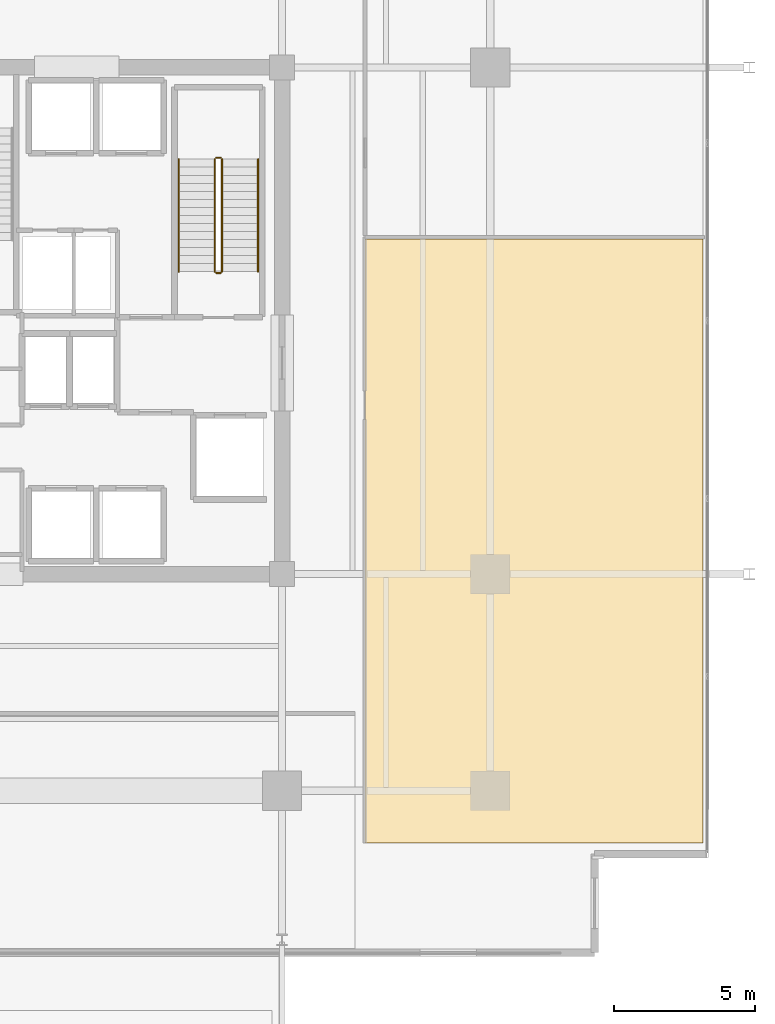
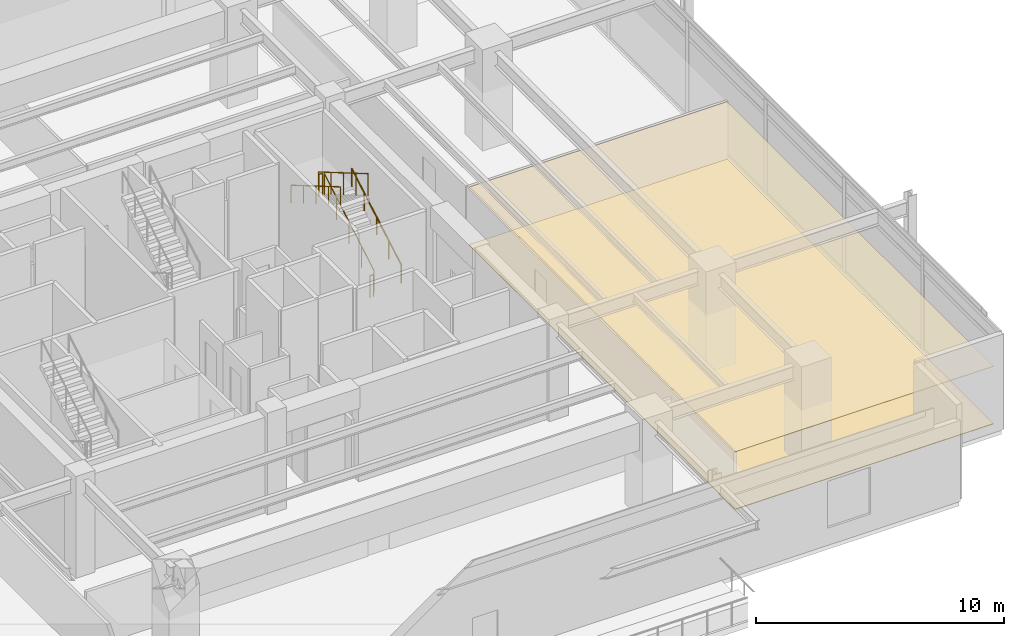
# One storey, part 22 of 25: 6 railings, 2 coverings.
"""IFC4 building model written with IfcOpenShell, lengths in metres."""

import ifcopenshell
import ifcopenshell.guid

model = None  # the IFC model being written
_history = None  # IfcOwnerHistory: only IFC2X3 demands one
_inside = {}  # id of a spatial element -> (the spatial element, [elements in it])
_under = {}  # id of a project, library or spatial element -> (it, [spatial elements below it])
_declared = {}  # id of a project -> (the project, [libraries it declares])
_typed = {}  # id of a type object -> (the type object, [elements of that type])
_made_of = {}  # id of a material, layer set ... -> (it, [elements and type objects made of it])


def new_model(schema):
    """Start an empty IFC model of exactly this schema.

    Asked for "IFC4X3", IfcOpenShell would pick the latest addendum, in which some entities
    have other attributes; the version numbers below select the first issue.
    IFC2X3 requires an IfcOwnerHistory on every rooted entity: one is made here for all.
    """
    global model, _history
    if schema == "IFC4X3":
        model = ifcopenshell.file(schema_version=(4, 3, 0, 0))
    else:
        model = ifcopenshell.file(schema=schema)
    _inside.clear()
    _under.clear()
    _declared.clear()
    _typed.clear()
    _made_of.clear()
    _history = None
    if model.schema == "IFC2X3":
        org = make("IfcOrganization", Name="unknown")
        user = make(
            "IfcPersonAndOrganization",
            ThePerson=make("IfcPerson", FamilyName="unknown"),
            TheOrganization=org,
        )
        app = make(
            "IfcApplication",
            ApplicationDeveloper=org,
            Version="unknown",
            ApplicationFullName="unknown",
            ApplicationIdentifier="unknown",
        )
        _history = make(
            "IfcOwnerHistory",
            OwningUser=user,
            OwningApplication=app,
            ChangeAction="ADDED",
            CreationDate=0,
        )
    return model


def make(cls, **values):
    """One entity of the class cls with the attributes given. An attribute that is None is left unset."""
    return model.create_entity(
        cls, **{name: value for name, value in values.items() if value is not None}
    )


def rooted(cls, **values):
    """An entity with a GlobalId (a new one), such as an element, a storey or a relation."""
    return make(cls, GlobalId=ifcopenshell.guid.new(), OwnerHistory=_history, **values)


def si_unit(unit_type, name, prefix=None):
    """IfcSIUnit, for example si_unit("LENGTHUNIT", "METRE", prefix="MILLI")."""
    return make("IfcSIUnit", UnitType=unit_type, Prefix=prefix, Name=name)


def assignment(units):
    """IfcUnitAssignment: the units of a project."""
    return None if units is None else make("IfcUnitAssignment", Units=units)


def point(xyz):
    """IfcCartesianPoint."""
    return None if xyz is None else make("IfcCartesianPoint", Coordinates=xyz)


def direction(xyz):
    """IfcDirection."""
    return None if xyz is None else make("IfcDirection", DirectionRatios=xyz)


def frame(location, z_axis=None, x_axis=None):
    """IfcAxis2Placement3D, a coordinate frame: its origin and axes. An axis left out is left unset."""
    return make(
        "IfcAxis2Placement3D",
        Location=point(location),
        Axis=direction(z_axis),
        RefDirection=direction(x_axis),
    )


def frame_2d(location, x_axis=None):
    """IfcAxis2Placement2D, a coordinate frame in the plane: its origin and x axis."""
    return make(
        "IfcAxis2Placement2D", Location=point(location), RefDirection=direction(x_axis)
    )


def origin():
    """The frame at (0, 0, 0) with its axes left unset."""
    return frame((0.0, 0.0, 0.0))


def origin_2d():
    """The frame at (0, 0) in the plane with its x axis left unset."""
    return frame_2d((0.0, 0.0))


def place(relative_to, where):
    """IfcLocalPlacement: puts the frame where relative to a parent placement (None: the world)."""
    return make(
        "IfcLocalPlacement", PlacementRelTo=relative_to, RelativePlacement=where
    )


def context(
    kind, dimensions, precision=None, world=None, true_north=None, identifier=None
):
    """IfcGeometricRepresentationContext, for example the 3D "Model" context."""
    return make(
        "IfcGeometricRepresentationContext",
        ContextIdentifier=identifier,
        ContextType=kind,
        CoordinateSpaceDimension=dimensions,
        Precision=precision,
        WorldCoordinateSystem=world,
        TrueNorth=true_north,
    )


def subcontext(parent, identifier, kind, view, scale=None):
    """IfcGeometricRepresentationSubContext, for example "Body" below "Model"."""
    return make(
        "IfcGeometricRepresentationSubContext",
        ContextIdentifier=identifier,
        ContextType=kind,
        ParentContext=parent,
        TargetScale=scale,
        TargetView=view,
    )


def project(units=None, contexts=None):
    """IfcProject with its units and contexts."""
    return rooted(
        "IfcProject",
        Name="project",
        RepresentationContexts=contexts,
        UnitsInContext=assignment(units),
    )


def spatial(cls, under=None, at=None, **own):
    """A site, building, storey or space (cls), placed at a placement, below another one or the project."""
    s = rooted(cls, ObjectPlacement=at, **own)
    if under is not None:
        _under.setdefault(under.id(), (under, []))[1].append(s)
    return s


def polyline(points):
    """IfcPolyline through the points."""
    return make("IfcPolyline", Points=[point(p) for p in points])


def profile(cls, at=None, kind="AREA", **sizes):
    """A parametric profile (cls). Its sizes go by their IFC names, for example OverallWidth=200.0."""
    return make(cls, ProfileType=kind, Position=at, **sizes)


def circle(**sizes):
    """IfcCircleProfileDef."""
    return profile("IfcCircleProfileDef", **sizes)


def outline(outer, holes=None, kind="AREA"):
    """IfcArbitraryClosedProfileDef: a profile drawn as a closed curve; with holes, ...WithVoids."""
    if holes is None:
        return make("IfcArbitraryClosedProfileDef", ProfileType=kind, OuterCurve=outer)
    return make(
        "IfcArbitraryProfileDefWithVoids",
        ProfileType=kind,
        OuterCurve=outer,
        InnerCurves=holes,
    )


def extrude(swept, where, along, depth):
    """IfcExtrudedAreaSolid: the profile swept, set in the frame where, extruded along a direction by depth."""
    return make(
        "IfcExtrudedAreaSolid",
        SweptArea=swept,
        Position=where,
        ExtrudedDirection=direction(along),
        Depth=depth,
    )


def shape(context_of_items, identifier, shape_type, items):
    """IfcShapeRepresentation: the items that make up one representation, for example the "Body"."""
    return make(
        "IfcShapeRepresentation",
        ContextOfItems=context_of_items,
        RepresentationIdentifier=identifier,
        RepresentationType=shape_type,
        Items=items,
    )


def material(Name=None, Category=None):
    """IfcMaterial."""
    return make("IfcMaterial", Name=Name, Category=Category)


def layer(
    of_material, thickness, ventilated=None, Name=None, Category=None, Priority=None
):
    """IfcMaterialLayer: one layer of a wall or slab, of a material (None: an air gap)."""
    return make(
        "IfcMaterialLayer",
        Material=of_material,
        LayerThickness=thickness,
        IsVentilated=ventilated,
        Name=Name,
        Category=Category,
        Priority=Priority,
    )


def layer_set(layers, Name=None):
    """IfcMaterialLayerSet."""
    return make("IfcMaterialLayerSet", MaterialLayers=layers, LayerSetName=Name)


def made_of(thing, what):
    """Note that an element or type object is made of a material, layer set ...; save() writes the relation."""
    if what is not None:
        _made_of.setdefault(what.id(), (what, []))[1].append(thing)
    return thing


def type_object(cls, material=None, **own):
    """A type object (cls), such as IfcWallType, which elements share."""
    return made_of(rooted(cls, **own), material)


def element(
    cls,
    number,
    at=None,
    inside=None,
    cuts=None,
    type_object=None,
    material=None,
    context=None,
    identifier="Body",
    shape_type=None,
    held_by="IfcProductDefinitionShape",
    body=None,
    shapes=None,
    **own,
):
    """One element of the class cls, such as IfcWall. Its Tag is "e" and its number.

    at: its placement. inside: the storey or other place that contains it. cuts: it is an
    opening in that element (IfcRelVoidsElement). A single representation is given by context,
    identifier, shape_type and body (its items); several are given by shapes. held_by: the class
    of the entity that holds the representations. save() writes the other relations.
    """
    e = rooted(cls, Tag="e%d" % number, ObjectPlacement=at, **own)
    if body is not None:
        shapes = [shape(context, identifier, shape_type, body)]
    if shapes is not None:
        e.Representation = make(held_by, Representations=shapes)
    if inside is not None:
        _inside.setdefault(inside.id(), (inside, []))[1].append(e)
    if cuts is not None:
        rooted(
            "IfcRelVoidsElement", RelatingBuildingElement=cuts, RelatedOpeningElement=e
        )
    if type_object is not None:
        _typed.setdefault(type_object.id(), (type_object, []))[1].append(e)
    return made_of(e, material)


def aggregate(whole, parts):
    """IfcRelAggregates: a whole, such as a stair, and the parts it consists of."""
    return rooted("IfcRelAggregates", RelatingObject=whole, RelatedObjects=parts)


def save(model, path):
    """Write the relations noted so far, then the file.

    IfcRelAggregates (storeys below a building ...), IfcRelContainedInSpatialStructure (elements
    in a storey), IfcRelDefinesByType, IfcRelAssociatesMaterial and IfcRelDeclares: one each for
    every whole, place, type object, material and project.
    """
    for whole, parts in _under.values():
        aggregate(whole, parts)
    for where, things in _inside.values():
        rooted(
            "IfcRelContainedInSpatialStructure",
            RelatedElements=things,
            RelatingStructure=where,
        )
    for kind, things in _typed.values():
        rooted("IfcRelDefinesByType", RelatedObjects=things, RelatingType=kind)
    for what, things in _made_of.values():
        rooted("IfcRelAssociatesMaterial", RelatedObjects=things, RelatingMaterial=what)
    for by, libraries in _declared.values():
        rooted("IfcRelDeclares", RelatingContext=by, RelatedDefinitions=libraries)
    model.write(path)


model = new_model("IFC4")

# Units and contexts
model_context = context("Model", 3, precision=1e-05, world=origin(), true_north=direction((0.0, 1.0)))
body_context = subcontext(model_context, "Body", "Model", "MODEL_VIEW")
ifc_project = project(units=[si_unit("LENGTHUNIT", "METRE"), si_unit("AREAUNIT", "SQUARE_METRE"), si_unit("VOLUMEUNIT", "CUBIC_METRE"), si_unit("PLANEANGLEUNIT", "RADIAN"), si_unit("MASSUNIT", "GRAM", prefix="KILO")], contexts=[model_context])

# Site, building, storey
site_placement = place(None, origin())
site = spatial("IfcSite", under=ifc_project, at=site_placement, CompositionType="ELEMENT")
building_placement = place(site_placement, origin())
building = spatial("IfcBuilding", under=site, at=building_placement, Name="Kovane Verandah Tower", CompositionType="ELEMENT")
storey_placement = place(building_placement, frame((0.0, 0.0, 233.199951171875)))
storey = spatial("IfcBuildingStorey", under=building, at=storey_placement, Name="L54", CompositionType="ELEMENT", Elevation=233.199951171875)

# Coverings
ifc_material_1 = material(Name="Perforated Acoustic Mineral-Fibre Ceiling Tile", Category="gypsum")
ifc_layer_1 = layer(ifc_material_1, 0.02490234375)
ifc_layer_set_1 = layer_set([ifc_layer_1], Name="Perforated Acoustic Mineral-Fibre Ceiling Tile")
covering_type_1 = type_object("IfcCoveringType", Name="CV-CEIL-25", PredefinedType="CEILING", material=ifc_layer_set_1)
covering_1_placement = place(storey_placement, frame((0.0, 0.0, 2.824951171875)))
element("IfcCovering", 1, at=covering_1_placement, inside=storey, type_object=covering_type_1, Name="L54 Open Plan Office E1 Acoustic Ceiling", PredefinedType="CEILING", context=body_context, shape_type="SweptSolid", body=[
    extrude(outline(polyline([(53.949951171875, 8.950439453125), (65.957275390625, 8.950439453125), (65.957275390625, 30.39794921875), (53.949951171875, 30.39794921875), (53.949951171875, 8.950439453125)])), origin(), (0.0, 0.0, 1.0), 0.025146484375),
])
ifc_material_2 = material(Name="Polished Terrazzo and Raised-Access Carpet Tile Finish", Category="concrete")
ifc_layer_2 = layer(ifc_material_2, 0.030029296875)
ifc_layer_set_2 = layer_set([ifc_layer_2], Name="Polished Terrazzo and Raised-Access Carpet Tile Finish")
covering_type_2 = type_object("IfcCoveringType", Name="CV-FLOR-30", PredefinedType="FLOORING", material=ifc_layer_set_2)
covering_2_placement = place(storey_placement, origin())
element("IfcCovering", 2, at=covering_2_placement, inside=storey, type_object=covering_type_2, Name="L54 Open Plan Office E1 Floor Finish", PredefinedType="FLOORING", context=body_context, shape_type="SweptSolid", body=[
    extrude(outline(polyline([(53.949951171875, 8.950439453125), (65.957275390625, 8.950439453125), (65.957275390625, 30.39794921875), (53.949951171875, 30.39794921875), (53.949951171875, 8.950439453125)])), origin(), (0.0, 0.0, 1.0), 0.030029296875),
])

# Railings
ifc_material_3 = material(Name="Brushed Stainless Steel Handrail", Category="steel")
railing_type_1 = type_object("IfcRailingType", Name="RL-HAND-920", PredefinedType="HANDRAIL", material=ifc_material_3)
railing_1_placement = place(storey_placement, frame((50.14990234375, 29.25, 0.166748046875)))
element("IfcRailing", 3, at=railing_1_placement, inside=storey, type_object=railing_type_1, Name="L54 ST-02 stair handrail 1", PredefinedType="HANDRAIL", context=body_context, shape_type="SweptSolid", body=[
    extrude(circle(Radius=0.02392578125, at=origin_2d()), frame((0.0, 0.0, 0.8759765625), z_axis=(0.0, 0.863236243904, 0.504800145811), x_axis=(-1.0, 0.0, 0.0)), (0.0, 0.0, 1.0), 4.6220703125),
    extrude(circle(Radius=0.02099609375, at=origin_2d()), origin(), (0.0, 0.0, 1.0), 0.851806640625),
    extrude(circle(Radius=0.02099609375, at=origin_2d()), frame((0.0, 0.99755859375, 0.583251953125)), (0.0, 0.0, 1.0), 0.851806640625),
    extrude(circle(Radius=0.02099609375, at=origin_2d()), frame((0.0, 1.9951171875, 1.16650390625)), (0.0, 0.0, 1.0), 0.851806640625),
    extrude(circle(Radius=0.02099609375, at=origin_2d()), frame((0.0, 2.992431640625, 1.75)), (0.0, 0.0, 1.0), 0.851806640625),
    extrude(circle(Radius=0.02099609375, at=origin_2d()), frame((0.0, 3.989990234375, 2.333251953125)), (0.0, 0.0, 1.0), 0.851806640625),
])
railing_2_placement = place(storey_placement, frame((47.330078125, 33.239990234375, 2.666748046875)))
element("IfcRailing", 4, at=railing_2_placement, inside=storey, type_object=railing_type_1, Name="L54 ST-02 stair handrail 2", PredefinedType="HANDRAIL", context=body_context, shape_type="SweptSolid", body=[
    extrude(circle(Radius=0.02392578125, at=origin_2d()), frame((0.0, 0.0, 0.8759765625), z_axis=(0.0, -0.863236243904, 0.504800145811), x_axis=(1.0, 0.0, 0.0)), (0.0, 0.0, 1.0), 4.6220703125),
    extrude(circle(Radius=0.02099609375, at=origin_2d()), origin(), (0.0, 0.0, 1.0), 0.851806640625),
    extrude(circle(Radius=0.02099609375, at=origin_2d()), frame((0.0, -0.99755859375, 0.583251953125)), (0.0, 0.0, 1.0), 0.851806640625),
    extrude(circle(Radius=0.02099609375, at=origin_2d()), frame((0.0, -1.9951171875, 1.16650390625)), (0.0, 0.0, 1.0), 0.851806640625),
    extrude(circle(Radius=0.02099609375, at=origin_2d()), frame((0.0, -2.992431640625, 1.75)), (0.0, 0.0, 1.0), 0.851806640625),
    extrude(circle(Radius=0.02099609375, at=origin_2d()), frame((0.0, -3.989990234375, 2.333251953125)), (0.0, 0.0, 1.0), 0.851806640625),
])
ifc_material_4 = material(Name="Painted Steel Stairwell Guardrail", Category="steel")
railing_type_2 = type_object("IfcRailingType", Name="RL-STGUARD-1120", PredefinedType="GUARDRAIL", material=ifc_material_4)
railing_3_placement = place(storey_placement, frame((48.8701171875, 29.25, 0.166748046875)))
element("IfcRailing", 5, at=railing_3_placement, inside=storey, type_object=railing_type_2, Name="L54 ST-02 stair guard 1", PredefinedType="GUARDRAIL", context=body_context, shape_type="SweptSolid", body=[
    extrude(circle(Radius=0.02392578125, at=origin_2d()), frame((0.0, 0.0, 1.076171875), z_axis=(0.0, 0.863236243904, 0.504800145811), x_axis=(-1.0, 0.0, 0.0)), (0.0, 0.0, 1.0), 4.6220703125),
    extrude(circle(Radius=0.02099609375, at=origin_2d()), origin(), (0.0, 0.0, 1.0), 1.052001953125),
    extrude(circle(Radius=0.02099609375, at=origin_2d()), frame((0.0, 0.99755859375, 0.583251953125)), (0.0, 0.0, 1.0), 1.052001953125),
    extrude(circle(Radius=0.02099609375, at=origin_2d()), frame((0.0, 1.9951171875, 1.16650390625)), (0.0, 0.0, 1.0), 1.052001953125),
    extrude(circle(Radius=0.02099609375, at=origin_2d()), frame((0.0, 2.992431640625, 1.75)), (0.0, 0.0, 1.0), 1.052001953125),
    extrude(circle(Radius=0.02099609375, at=origin_2d()), frame((0.0, 3.989990234375, 2.333251953125)), (0.0, 0.0, 1.0), 1.052001953125),
])
railing_4_placement = place(storey_placement, frame((48.820068359375, 33.2900390625, 2.5)))
element("IfcRailing", 6, at=railing_4_placement, inside=storey, type_object=railing_type_2, Name="L54 ST-02 stair guard 2", PredefinedType="GUARDRAIL", context=body_context, shape_type="SweptSolid", body=[
    extrude(circle(Radius=0.02392578125, at=origin_2d()), frame((0.0, 0.0, 1.076171875), z_axis=(-1.0, 0.0, 0.0), x_axis=(0.0, -1.0, 0.0)), (0.0, 0.0, 1.0), 0.16015625),
    extrude(circle(Radius=0.02099609375, at=origin_2d()), origin(), (0.0, 0.0, 1.0), 1.052001953125),
    extrude(circle(Radius=0.02099609375, at=origin_2d()), frame((-0.16015625, 0.0, 0.0)), (0.0, 0.0, 1.0), 1.052001953125),
])
railing_5_placement = place(storey_placement, frame((48.610107421875, 33.239990234375, 2.666748046875)))
element("IfcRailing", 7, at=railing_5_placement, inside=storey, type_object=railing_type_2, Name="L54 ST-02 stair guard 3", PredefinedType="GUARDRAIL", context=body_context, shape_type="SweptSolid", body=[
    extrude(circle(Radius=0.02392578125, at=origin_2d()), frame((0.0, 0.0, 1.076171875), z_axis=(0.0, -0.863236243904, 0.504800145811), x_axis=(1.0, 0.0, 0.0)), (0.0, 0.0, 1.0), 4.6220703125),
    extrude(circle(Radius=0.02099609375, at=origin_2d()), origin(), (0.0, 0.0, 1.0), 1.052001953125),
    extrude(circle(Radius=0.02099609375, at=origin_2d()), frame((0.0, -0.99755859375, 0.583251953125)), (0.0, 0.0, 1.0), 1.052001953125),
    extrude(circle(Radius=0.02099609375, at=origin_2d()), frame((0.0, -1.9951171875, 1.16650390625)), (0.0, 0.0, 1.0), 1.052001953125),
    extrude(circle(Radius=0.02099609375, at=origin_2d()), frame((0.0, -2.992431640625, 1.75)), (0.0, 0.0, 1.0), 1.052001953125),
    extrude(circle(Radius=0.02099609375, at=origin_2d()), frame((0.0, -3.989990234375, 2.333251953125)), (0.0, 0.0, 1.0), 1.052001953125),
])
railing_6_placement = place(storey_placement, frame((48.820068359375, 29.199951171875, 0.0)))
element("IfcRailing", 8, at=railing_6_placement, inside=storey, type_object=railing_type_2, Name="L54 ST-02 stair guard 4", PredefinedType="GUARDRAIL", context=body_context, shape_type="SweptSolid", body=[
    extrude(circle(Radius=0.02392578125, at=origin_2d()), frame((0.0, 0.0, 1.076171875), z_axis=(-1.0, 0.0, 0.0), x_axis=(0.0, -1.0, 0.0)), (0.0, 0.0, 1.0), 0.16015625),
    extrude(circle(Radius=0.02099609375, at=origin_2d()), origin(), (0.0, 0.0, 1.0), 1.052001953125),
    extrude(circle(Radius=0.02099609375, at=origin_2d()), frame((-0.16015625, 0.0, 0.0)), (0.0, 0.0, 1.0), 1.052001953125),
])

save(model, "model.ifc")
